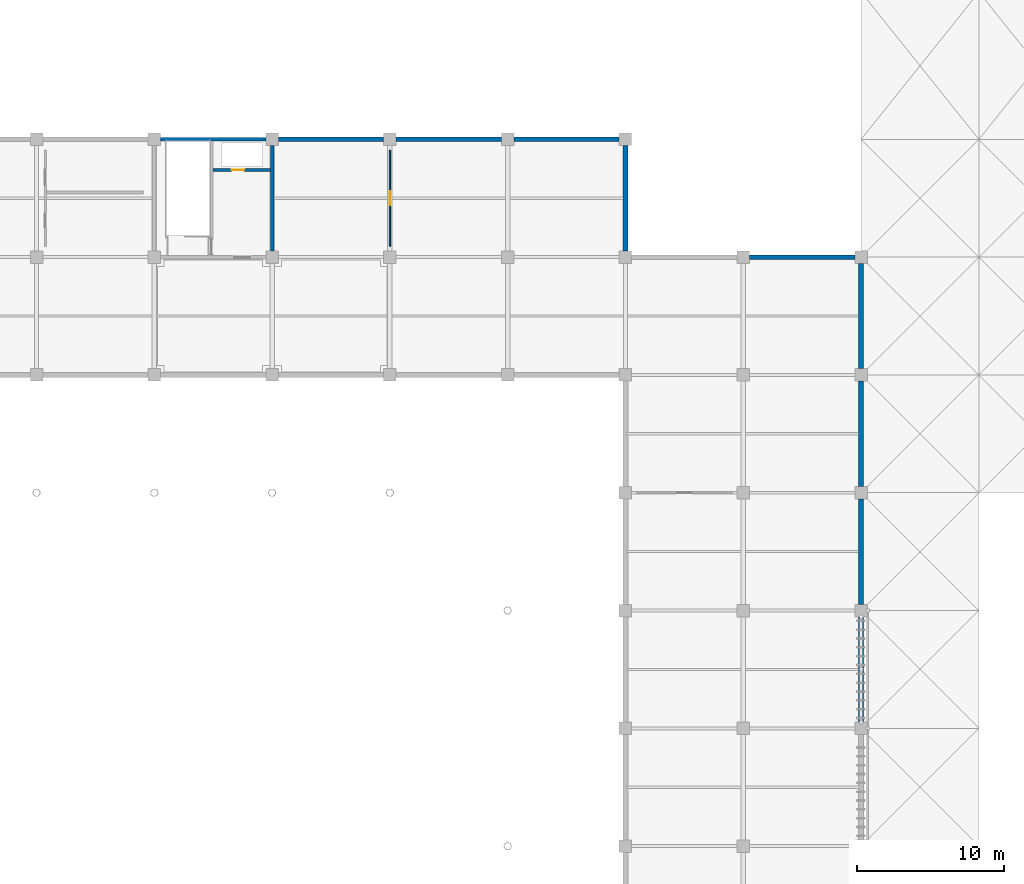
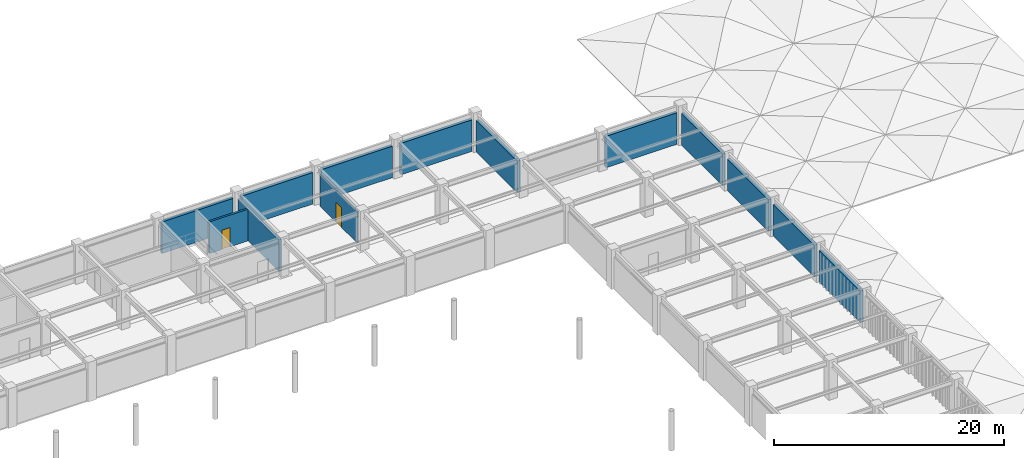
# One storey, part 62 of 78: 13 walls, 2 doors, 2 openings.
"""IFC4 building model written with IfcOpenShell, lengths in metres."""

from ifc_helpers import new_model, si_unit, direction, frame, frame_2d, origin, place, context, subcontext, project, spatial, rectangle, extrude, material, layer, layer_set, type_object, element, fill, save


model = new_model("IFC4")

# Units and contexts
model_context = context("Model", 3, precision=1e-05, world=origin(), true_north=direction((0.0, 1.0)))
body_context = subcontext(model_context, "Body", "Model", "MODEL_VIEW")
ifc_project = project(units=[si_unit("LENGTHUNIT", "METRE"), si_unit("AREAUNIT", "SQUARE_METRE"), si_unit("VOLUMEUNIT", "CUBIC_METRE"), si_unit("PLANEANGLEUNIT", "RADIAN"), si_unit("MASSUNIT", "GRAM", prefix="KILO")], contexts=[model_context])

# Site, building, storey
site_placement = place(None, origin())
site = spatial("IfcSite", under=ifc_project, at=site_placement, CompositionType="ELEMENT")
building_placement = place(site_placement, origin())
building = spatial("IfcBuilding", under=site, at=building_placement, Name="Haebicheon Civic Stadium", CompositionType="ELEMENT")
storey_placement = place(building_placement, frame((0.0, 0.0, 18.60009765625)))
storey = spatial("IfcBuildingStorey", under=building, at=storey_placement, Name="L05", CompositionType="ELEMENT", Elevation=18.60009765625)

# Walls
ifc_material_1 = material(Name="Concrete C40/50", Category="concrete")
ifc_layer_1 = layer(ifc_material_1, 0.239990234375, Name="Concrete C40/50")
ifc_layer_set_1 = layer_set([ifc_layer_1], Name="Concrete C40/50")
wall_type_1 = type_object("IfcWallType", Name="CW-SHR-240", PredefinedType="SHEAR", material=ifc_layer_set_1)
for number, where, z_axis, x_axis, name in (
    (1, (112.425048828125, 168.0, 0.0), (0.0, 0.0, 1.0), (1.0, 0.0, 0.0), "KC-09 L05 north core shear wall"),
    (2, (120.0, 160.425048828125, 0.0), (0.0, 0.0, 1.0), (0.0, 1.0, 0.0), "KC-09 L05 east core shear wall"),
):
    element("IfcWall", number, at=place(storey_placement, frame(where, z_axis=z_axis, x_axis=x_axis)), inside=storey, type_object=wall_type_1, material=ifc_layer_set_1, Name=name, PredefinedType="SHEAR", context=body_context, shape_type="SweptSolid", body=[
        extrude(rectangle(XDim=7.14990234375, YDim=0.239990234375, at=frame_2d((3.574951171875, 0.0))), origin(), (0.0, 0.0, 1.0), 3.369873046875),
    ])
ifc_material_2 = material(Name="Precast concrete C40/50", Category="concrete")
ifc_layer_2 = layer(ifc_material_2, 0.320068359375, Name="Precast concrete C40/50")
ifc_layer_set_2 = layer_set([ifc_layer_2], Name="Precast concrete C40/50")
wall_type_2 = type_object("IfcWallType", Name="EW-BM-320", PredefinedType="SOLIDWALL", material=ifc_layer_set_2)
for number, where, z_axis, x_axis, name in (
    (3, (120.425048828125, 168.0, 0.0), (0.0, 0.0, 1.0), (1.0, 0.0, 0.0), "L05 board-marked concrete facade wall 15-21-N"),
    (4, (128.425048828125, 168.0, 0.0), (0.0, 0.0, 1.0), (1.0, 0.0, 0.0), "L05 board-marked concrete facade wall 16-21-N"),
    (5, (136.425048828125, 168.0, 0.0), (0.0, 0.0, 1.0), (1.0, 0.0, 0.0), "L05 board-marked concrete facade wall 17-21-N"),
    (6, (144.0, 160.425048828125, 0.0), (0.0, 0.0, 1.0), (0.0, 1.0, 0.0), "L05 board-marked concrete facade wall 18-20-E"),
):
    element("IfcWall", number, at=place(storey_placement, frame(where, z_axis=z_axis, x_axis=x_axis)), inside=storey, type_object=wall_type_2, material=ifc_layer_set_2, Name=name, PredefinedType="SOLIDWALL", context=body_context, shape_type="SweptSolid", body=[
        extrude(rectangle(XDim=7.14990234375, YDim=0.320068359375, at=frame_2d((3.574951171875, 0.0))), origin(), (0.0, 0.0, 1.0), 3.349853515625),
    ])
wall_1_placement = place(storey_placement, frame((160.0, 128.425048828125, 0.0), z_axis=(0.0, 0.0, 1.0), x_axis=(0.0, 1.0, 0.0)))
element("IfcWall", 7, at=wall_1_placement, inside=storey, type_object=wall_type_2, material=ifc_layer_set_2, Name="L05 board-marked concrete facade wall 20-16-E", PredefinedType="SOLIDWALL", context=body_context, shape_type="SweptSolid", body=[
    extrude(rectangle(XDim=7.14990234375, YDim=0.320068359375, at=frame_2d((3.574951171875, 0.0))), origin(), (0.0, 0.0, 1.0), 3.33984375),
])
for number, where, z_axis, x_axis, name in (
    (8, (160.0, 136.425048828125, 0.0), (0.0, 0.0, 1.0), (0.0, 1.0, 0.0), "L05 board-marked concrete facade wall 20-17-E"),
    (9, (160.0, 144.425048828125, 0.0), (0.0, 0.0, 1.0), (0.0, 1.0, 0.0), "L05 board-marked concrete facade wall 20-18-E"),
    (10, (152.425048828125, 160.0, 0.0), (0.0, 0.0, 1.0), (1.0, 0.0, 0.0), "L05 board-marked concrete facade wall 19-20-N"),
    (11, (160.0, 152.425048828125, 0.0), (0.0, 0.0, 1.0), (0.0, 1.0, 0.0), "L05 board-marked concrete facade wall 20-19-E"),
):
    element("IfcWall", number, at=place(storey_placement, frame(where, z_axis=z_axis, x_axis=x_axis)), inside=storey, type_object=wall_type_2, material=ifc_layer_set_2, Name=name, PredefinedType="SOLIDWALL", context=body_context, shape_type="SweptSolid", body=[
        extrude(rectangle(XDim=7.14990234375, YDim=0.320068359375, at=frame_2d((3.574951171875, 0.0))), origin(), (0.0, 0.0, 1.0), 3.349853515625),
    ])

# Wall, opening, door
ifc_material_3 = material(Name="Concrete C35/45", Category="concrete")
ifc_layer_3 = layer(ifc_material_3, 0.199951171875, Name="Concrete C35/45")
ifc_layer_set_3 = layer_set([ifc_layer_3], Name="Concrete C35/45")
wall_type_3 = type_object("IfcWallType", Name="IW-FIR-200", PredefinedType="PARTITIONING", material=ifc_layer_set_3)
wall_2_placement = place(storey_placement, frame((116.0, 165.919921875, 0.0), z_axis=(0.0, 0.0, 1.0), x_axis=(1.0, 0.0, 0.0)))
wall_2 = element("IfcWall", 12, at=wall_2_placement, inside=storey, type_object=wall_type_3, material=ifc_layer_set_3, Name="KC-09 L05 service riser wall", PredefinedType="PARTITIONING", context=body_context, shape_type="SweptSolid", body=[
    extrude(rectangle(XDim=3.8798828125, YDim=0.199951171875, at=frame_2d((1.93994140625, 0.0))), origin(), (0.0, 0.0, 1.0), 3.369873046875),
])
opening_1_placement = place(wall_2_placement, frame((1.25, 0.0, 0.0)))
opening_1 = element("IfcOpeningElement", 13, at=opening_1_placement, cuts=wall_2, Name="Opening D-L05-KC-09-RSR", PredefinedType="OPENING", context=body_context, shape_type="SweptSolid", body=[
    extrude(rectangle(XDim=0.85009765625, YDim=2.050048828125, at=frame_2d((0.425048828125, 1.02490234375))), frame((0.0, 0.10986328125, 0.0), z_axis=(0.0, -1.0, 0.0), x_axis=(1.0, 0.0, 0.0)), (0.0, 0.0, 1.0), 0.219970703125),
])
ifc_material_4 = material(Name="Galvanised painted steel SM355", Category="steel")
door_type_1 = type_object("IfcDoorType", Name="ID-RSR-0850", OperationType="NOTDEFINED", PredefinedType="TRAPDOOR", material=ifc_material_4)
door_1_placement = place(opening_1_placement, origin())
door_1 = element("IfcDoor", 14, at=door_1_placement, inside=storey, type_object=door_type_1, material=ifc_material_4, Name="L05 KC-09 riser access door", OperationType="SINGLE_SWING_LEFT", OverallHeight=2.050048828125, OverallWidth=0.85009765625, PredefinedType="TRAPDOOR", context=body_context, shape_type="SweptSolid", body=[
    extrude(rectangle(XDim=0.85009765625, YDim=2.050048828125, at=frame_2d((0.425048828125, 1.02490234375))), frame((0.0, 0.02490234375, 0.0), z_axis=(0.0, -1.0, 0.0), x_axis=(1.0, 0.0, 0.0)), (0.0, 0.0, 1.0), 0.050048828125),
])
fill(opening_1, door_1)

ifc_material_5 = material(Name="Anodised aluminium and laminated glass", Category="aluminium")
ifc_layer_4 = layer(ifc_material_5, 0.10009765625, Name="Anodised aluminium and laminated glass")
ifc_layer_set_4 = layer_set([ifc_layer_4], Name="Anodised aluminium and laminated glass")
wall_type_4 = type_object("IfcWallType", Name="IW-PRT-100", PredefinedType="PARTITIONING", material=ifc_layer_set_4)
wall_3_placement = place(storey_placement, frame((128.0, 160.75, 0.0), z_axis=(0.0, 0.0, 1.0), x_axis=(0.0, 1.0, 0.0)))
wall_3 = element("IfcWall", 15, at=wall_3_placement, inside=storey, type_object=wall_type_4, material=ifc_layer_set_4, Name="L05 Scoreboard Control Room partition wall", PredefinedType="PARTITIONING", context=body_context, shape_type="SweptSolid", body=[
    extrude(rectangle(XDim=6.5, YDim=0.10009765625, at=frame_2d((3.25, 0.0))), origin(), (0.0, 0.0, 1.0), 3.369873046875),
])
opening_2_placement = place(wall_3_placement, frame((2.77490234375, 0.0, 0.0)))
opening_2 = element("IfcOpeningElement", 16, at=opening_2_placement, cuts=wall_3, Name="Opening D-L05-435", PredefinedType="OPENING", context=body_context, shape_type="SweptSolid", body=[
    extrude(rectangle(XDim=0.949951171875, YDim=2.10009765625, at=frame_2d((0.47509765625, 1.050048828125))), frame((0.0, 0.06005859375, 0.0), z_axis=(0.0, -1.0, 0.0), x_axis=(1.0, 0.0, 0.0)), (0.0, 0.0, 1.0), 0.1201171875),
])
ifc_material_6 = material(Name="Engineered hardwood timber", Category="wood")
door_type_2 = type_object("IfcDoorType", Name="ID-RM-0950", OperationType="NOTDEFINED", PredefinedType="DOOR", material=ifc_material_6)
door_2_placement = place(opening_2_placement, origin())
door_2 = element("IfcDoor", 17, at=door_2_placement, inside=storey, type_object=door_type_2, material=ifc_material_6, Name="L05 Scoreboard Control Room entrance door D-L05-435", OperationType="SINGLE_SWING_RIGHT", OverallHeight=2.10009765625, OverallWidth=0.949951171875, PredefinedType="DOOR", context=body_context, shape_type="SweptSolid", body=[
    extrude(rectangle(XDim=0.949951171875, YDim=2.10009765625, at=frame_2d((0.47509765625, 1.050048828125))), frame((0.0, 0.02490234375, 0.0), z_axis=(0.0, -1.0, 0.0), x_axis=(1.0, 0.0, 0.0)), (0.0, 0.0, 1.0), 0.050048828125),
])
fill(opening_2, door_2)

save(model, "model.ifc")
